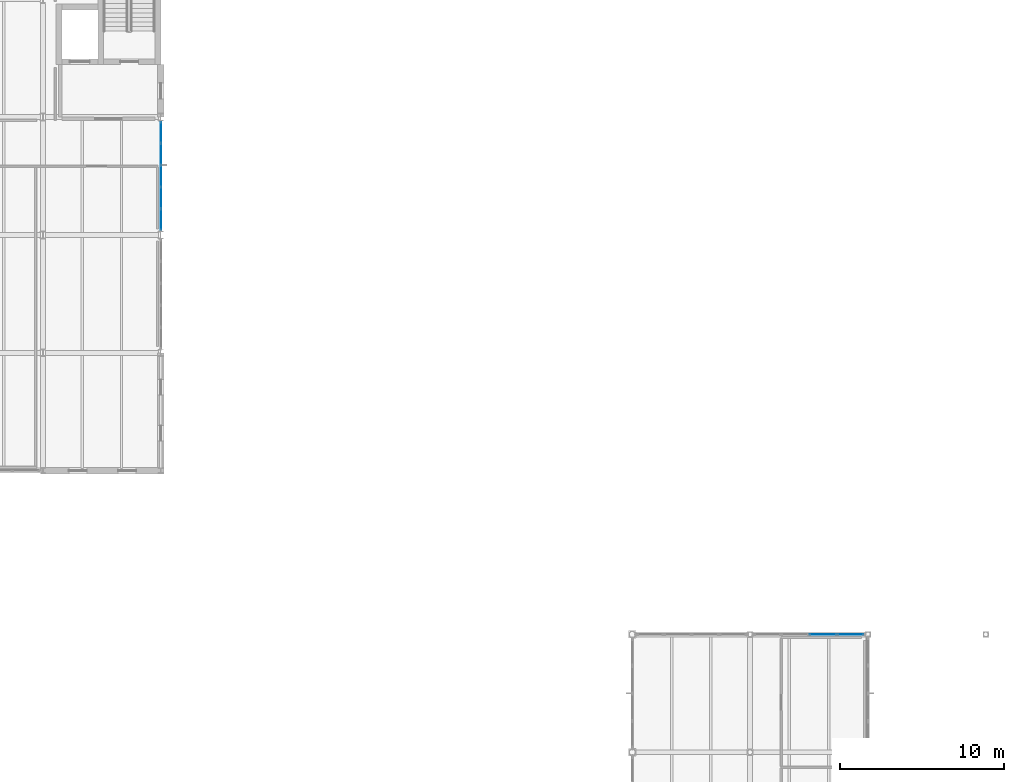
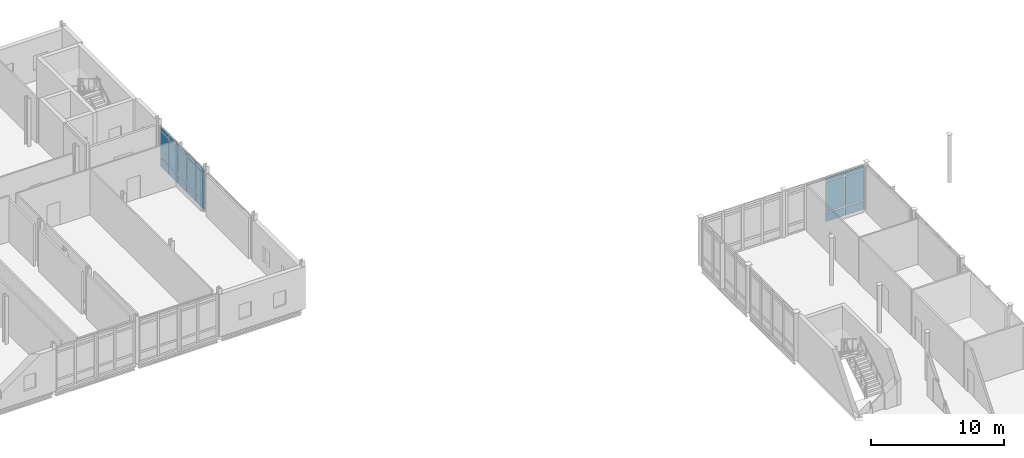
# One storey, part 42 of 76: 21 plates, 2 elements without a shape of their own.
"""IFC4 building model written with IfcOpenShell, lengths in metres."""

from ifc_helpers import new_model, si_unit, direction, frame, origin, origin_2d, place, context, subcontext, project, spatial, rectangle, extrude, material, layer, layer_set, type_object, element, aggregate, save


model = new_model("IFC4")

# Units and contexts
model_context = context("Model", 3, precision=1e-05, world=origin(), true_north=direction((0.0, 1.0)))
body_context = subcontext(model_context, "Body", "Model", "MODEL_VIEW")
ifc_project = project(units=[si_unit("LENGTHUNIT", "METRE"), si_unit("AREAUNIT", "SQUARE_METRE"), si_unit("VOLUMEUNIT", "CUBIC_METRE"), si_unit("PLANEANGLEUNIT", "RADIAN"), si_unit("MASSUNIT", "GRAM", prefix="KILO")], contexts=[model_context])

# Site, building, storey
site_placement = place(None, origin())
site = spatial("IfcSite", under=ifc_project, at=site_placement, CompositionType="ELEMENT")
building_placement = place(site_placement, origin())
building = spatial("IfcBuilding", under=site, at=building_placement, Name="Zarrinpeak Specialist Clinic", CompositionType="ELEMENT")
storey_placement = place(building_placement, frame((0.0, 0.0, 5.199951171875)))
storey = spatial("IfcBuildingStorey", under=building, at=storey_placement, Name="L01", CompositionType="ELEMENT", Elevation=5.199951171875)

# Curtain wall, plates
ifc_material_1 = material(Name="Anodised Aluminium Alloy 6063-T6", Category="aluminium")
ifc_layer_1 = layer(ifc_material_1, 0.199951171875)
ifc_layer_set_1 = layer_set([ifc_layer_1], Name="Anodised Aluminium Alloy 6063-T6")
curtain_wall_type_1 = type_object("IfcCurtainWallType", Name="CW-HALL", PredefinedType="NOTDEFINED", material=ifc_layer_set_1)
curtain_wall_1_placement = place(storey_placement, origin())
curtain_wall_1 = element("IfcCurtainWall", 1, at=curtain_wall_1_placement, inside=storey, type_object=curtain_wall_type_1, Name="L01 V3 Unitised Curtain Wall CW-L01-V3-100", PredefinedType="NOTDEFINED")
ifc_material_2 = material(Name="Double Low-E Insulated Glazing", Category="glass")
ifc_layer_2 = layer(ifc_material_2, 0.028076171875)
ifc_layer_set_2 = layer_set([ifc_layer_2], Name="Double Low-E Insulated Glazing")
plate_type = type_object("IfcPlateType", Name="CWP-GLZ28", PredefinedType="CURTAIN_PANEL", material=ifc_layer_set_2)
plate_1_placement = place(storey_placement, frame((106.937255859375, 72.0, 0.09033203125), z_axis=(0.0, 0.0, 1.0), x_axis=(-1.0, 0.0, 0.0)))
plate_1 = element("IfcPlate", 2, at=plate_1_placement, type_object=plate_type, Name="CW-02 panel 1.1", PredefinedType="CURTAIN_PANEL", context=body_context, shape_type="SweptSolid", body=[
    extrude(rectangle(XDim=1.571533203125, YDim=0.028076171875, at=origin_2d()), origin(), (0.0, 0.0, 1.0), 0.764892578125),
])
plate_2_placement = place(storey_placement, frame((106.937255859375, 72.0, 0.945068359375), z_axis=(0.0, 0.0, 1.0), x_axis=(-1.0, 0.0, 0.0)))
plate_2 = element("IfcPlate", 3, at=plate_2_placement, type_object=plate_type, Name="CW-02 panel 1.2", PredefinedType="CURTAIN_PANEL", context=body_context, shape_type="SweptSolid", body=[
    extrude(rectangle(XDim=1.571533203125, YDim=0.028076171875, at=origin_2d()), origin(), (0.0, 0.0, 1.0), 2.7451171875),
])
plate_3_placement = place(storey_placement, frame((106.937255859375, 72.0, 3.780029296875), z_axis=(0.0, 0.0, 1.0), x_axis=(-1.0, 0.0, 0.0)))
plate_3 = element("IfcPlate", 4, at=plate_3_placement, type_object=plate_type, Name="CW-02 panel 1.3", PredefinedType="CURTAIN_PANEL", context=body_context, shape_type="SweptSolid", body=[
    extrude(rectangle(XDim=1.571533203125, YDim=0.028076171875, at=origin_2d()), origin(), (0.0, 0.0, 1.0), 0.31494140625),
])
plate_4_placement = place(storey_placement, frame((105.253173828125, 72.0, 0.09033203125), z_axis=(0.0, 0.0, 1.0), x_axis=(-1.0, 0.0, 0.0)))
plate_4 = element("IfcPlate", 5, at=plate_4_placement, type_object=plate_type, Name="CW-02 panel 2.1", PredefinedType="CURTAIN_PANEL", context=body_context, shape_type="SweptSolid", body=[
    extrude(rectangle(XDim=1.616455078125, YDim=0.028076171875, at=origin_2d()), origin(), (0.0, 0.0, 1.0), 0.764892578125),
])
plate_5_placement = place(storey_placement, frame((105.253173828125, 72.0, 0.945068359375), z_axis=(0.0, 0.0, 1.0), x_axis=(-1.0, 0.0, 0.0)))
plate_5 = element("IfcPlate", 6, at=plate_5_placement, type_object=plate_type, Name="CW-02 panel 2.2", PredefinedType="CURTAIN_PANEL", context=body_context, shape_type="SweptSolid", body=[
    extrude(rectangle(XDim=1.616455078125, YDim=0.028076171875, at=origin_2d()), origin(), (0.0, 0.0, 1.0), 2.7451171875),
])
plate_6_placement = place(storey_placement, frame((105.253173828125, 72.0, 3.780029296875), z_axis=(0.0, 0.0, 1.0), x_axis=(-1.0, 0.0, 0.0)))
plate_6 = element("IfcPlate", 7, at=plate_6_placement, type_object=plate_type, Name="CW-02 panel 2.3", PredefinedType="CURTAIN_PANEL", context=body_context, shape_type="SweptSolid", body=[
    extrude(rectangle(XDim=1.616455078125, YDim=0.028076171875, at=origin_2d()), origin(), (0.0, 0.0, 1.0), 0.31494140625),
])
aggregate(curtain_wall_1, [plate_1, plate_2, plate_3, plate_4, plate_5, plate_6])

ifc_layer_3 = layer(ifc_material_1, 0.1650390625)
ifc_layer_set_3 = layer_set([ifc_layer_3], Name="Anodised Aluminium Alloy 6063-T6")
curtain_wall_type_2 = type_object("IfcCurtainWallType", Name="CW-CLINIC", PredefinedType="NOTDEFINED", material=ifc_layer_set_3)
curtain_wall_2_placement = place(storey_placement, origin())
curtain_wall_2 = element("IfcCurtainWall", 8, at=curtain_wall_2_placement, inside=storey, type_object=curtain_wall_type_2, Name="L01 V6 Unitised Curtain Wall CW-L01-V6-140", PredefinedType="NOTDEFINED")
plate_7_placement = place(storey_placement, frame((64.800048828125, 97.3388671875, 0.074951171875), z_axis=(0.0, 0.0, 1.0), x_axis=(0.0, 1.0, 0.0)))
plate_7 = element("IfcPlate", 9, at=plate_7_placement, type_object=plate_type, Name="CW-03 panel 1.1", PredefinedType="CURTAIN_PANEL", context=body_context, shape_type="SweptSolid", body=[
    extrude(rectangle(XDim=1.2275390625, YDim=0.028076171875, at=origin_2d()), origin(), (0.0, 0.0, 1.0), 0.78759765625),
])
plate_8_placement = place(storey_placement, frame((64.800048828125, 97.3388671875, 0.9375), z_axis=(0.0, 0.0, 1.0), x_axis=(0.0, 1.0, 0.0)))
plate_8 = element("IfcPlate", 10, at=plate_8_placement, type_object=plate_type, Name="CW-03 panel 1.2", PredefinedType="CURTAIN_PANEL", context=body_context, shape_type="SweptSolid", body=[
    extrude(rectangle(XDim=1.2275390625, YDim=0.028076171875, at=origin_2d()), origin(), (0.0, 0.0, 1.0), 2.385009765625),
])
plate_9_placement = place(storey_placement, frame((64.800048828125, 97.3388671875, 3.397705078125), z_axis=(0.0, 0.0, 1.0), x_axis=(0.0, 1.0, 0.0)))
plate_9 = element("IfcPlate", 11, at=plate_9_placement, type_object=plate_type, Name="CW-03 panel 1.3", PredefinedType="CURTAIN_PANEL", context=body_context, shape_type="SweptSolid", body=[
    extrude(rectangle(XDim=1.2275390625, YDim=0.028076171875, at=origin_2d()), origin(), (0.0, 0.0, 1.0), 0.33740234375),
])
plate_10_placement = place(storey_placement, frame((64.800048828125, 98.659912109375, 0.074951171875), z_axis=(0.0, 0.0, 1.0), x_axis=(0.0, 1.0, 0.0)))
plate_10 = element("IfcPlate", 12, at=plate_10_placement, type_object=plate_type, Name="CW-03 panel 2.1", PredefinedType="CURTAIN_PANEL", context=body_context, shape_type="SweptSolid", body=[
    extrude(rectangle(XDim=1.264892578125, YDim=0.028076171875, at=origin_2d()), origin(), (0.0, 0.0, 1.0), 0.78759765625),
])
plate_11_placement = place(storey_placement, frame((64.800048828125, 98.659912109375, 0.9375), z_axis=(0.0, 0.0, 1.0), x_axis=(0.0, 1.0, 0.0)))
plate_11 = element("IfcPlate", 13, at=plate_11_placement, type_object=plate_type, Name="CW-03 panel 2.2", PredefinedType="CURTAIN_PANEL", context=body_context, shape_type="SweptSolid", body=[
    extrude(rectangle(XDim=1.264892578125, YDim=0.028076171875, at=origin_2d()), origin(), (0.0, 0.0, 1.0), 2.385009765625),
])
plate_12_placement = place(storey_placement, frame((64.800048828125, 98.659912109375, 3.397705078125), z_axis=(0.0, 0.0, 1.0), x_axis=(0.0, 1.0, 0.0)))
plate_12 = element("IfcPlate", 14, at=plate_12_placement, type_object=plate_type, Name="CW-03 panel 2.3", PredefinedType="CURTAIN_PANEL", context=body_context, shape_type="SweptSolid", body=[
    extrude(rectangle(XDim=1.264892578125, YDim=0.028076171875, at=origin_2d()), origin(), (0.0, 0.0, 1.0), 0.33740234375),
])
plate_13_placement = place(storey_placement, frame((64.800048828125, 100.0, 0.074951171875), z_axis=(0.0, 0.0, 1.0), x_axis=(0.0, 1.0, 0.0)))
plate_13 = element("IfcPlate", 15, at=plate_13_placement, type_object=plate_type, Name="CW-03 panel 3.1", PredefinedType="CURTAIN_PANEL", context=body_context, shape_type="SweptSolid", body=[
    extrude(rectangle(XDim=1.264892578125, YDim=0.028076171875, at=origin_2d()), origin(), (0.0, 0.0, 1.0), 0.78759765625),
])
plate_14_placement = place(storey_placement, frame((64.800048828125, 100.0, 0.9375), z_axis=(0.0, 0.0, 1.0), x_axis=(0.0, 1.0, 0.0)))
plate_14 = element("IfcPlate", 16, at=plate_14_placement, type_object=plate_type, Name="CW-03 panel 3.2", PredefinedType="CURTAIN_PANEL", context=body_context, shape_type="SweptSolid", body=[
    extrude(rectangle(XDim=1.264892578125, YDim=0.028076171875, at=origin_2d()), origin(), (0.0, 0.0, 1.0), 2.385009765625),
])
plate_15_placement = place(storey_placement, frame((64.800048828125, 100.0, 3.397705078125), z_axis=(0.0, 0.0, 1.0), x_axis=(0.0, 1.0, 0.0)))
plate_15 = element("IfcPlate", 17, at=plate_15_placement, type_object=plate_type, Name="CW-03 panel 3.3", PredefinedType="CURTAIN_PANEL", context=body_context, shape_type="SweptSolid", body=[
    extrude(rectangle(XDim=1.264892578125, YDim=0.028076171875, at=origin_2d()), origin(), (0.0, 0.0, 1.0), 0.33740234375),
])
plate_16_placement = place(storey_placement, frame((64.800048828125, 101.340087890625, 0.074951171875), z_axis=(0.0, 0.0, 1.0), x_axis=(0.0, 1.0, 0.0)))
plate_16 = element("IfcPlate", 18, at=plate_16_placement, type_object=plate_type, Name="CW-03 panel 4.1", PredefinedType="CURTAIN_PANEL", context=body_context, shape_type="SweptSolid", body=[
    extrude(rectangle(XDim=1.264892578125, YDim=0.028076171875, at=origin_2d()), origin(), (0.0, 0.0, 1.0), 0.78759765625),
])
plate_17_placement = place(storey_placement, frame((64.800048828125, 101.340087890625, 0.9375), z_axis=(0.0, 0.0, 1.0), x_axis=(0.0, 1.0, 0.0)))
plate_17 = element("IfcPlate", 19, at=plate_17_placement, type_object=plate_type, Name="CW-03 panel 4.2", PredefinedType="CURTAIN_PANEL", context=body_context, shape_type="SweptSolid", body=[
    extrude(rectangle(XDim=1.264892578125, YDim=0.028076171875, at=origin_2d()), origin(), (0.0, 0.0, 1.0), 2.385009765625),
])
plate_18_placement = place(storey_placement, frame((64.800048828125, 101.340087890625, 3.397705078125), z_axis=(0.0, 0.0, 1.0), x_axis=(0.0, 1.0, 0.0)))
plate_18 = element("IfcPlate", 20, at=plate_18_placement, type_object=plate_type, Name="CW-03 panel 4.3", PredefinedType="CURTAIN_PANEL", context=body_context, shape_type="SweptSolid", body=[
    extrude(rectangle(XDim=1.264892578125, YDim=0.028076171875, at=origin_2d()), origin(), (0.0, 0.0, 1.0), 0.33740234375),
])
plate_19_placement = place(storey_placement, frame((64.800048828125, 102.6611328125, 0.074951171875), z_axis=(0.0, 0.0, 1.0), x_axis=(0.0, 1.0, 0.0)))
plate_19 = element("IfcPlate", 21, at=plate_19_placement, type_object=plate_type, Name="CW-03 panel 5.1", PredefinedType="CURTAIN_PANEL", context=body_context, shape_type="SweptSolid", body=[
    extrude(rectangle(XDim=1.2275390625, YDim=0.028076171875, at=origin_2d()), origin(), (0.0, 0.0, 1.0), 0.78759765625),
])
plate_20_placement = place(storey_placement, frame((64.800048828125, 102.6611328125, 0.9375), z_axis=(0.0, 0.0, 1.0), x_axis=(0.0, 1.0, 0.0)))
plate_20 = element("IfcPlate", 22, at=plate_20_placement, type_object=plate_type, Name="CW-03 panel 5.2", PredefinedType="CURTAIN_PANEL", context=body_context, shape_type="SweptSolid", body=[
    extrude(rectangle(XDim=1.2275390625, YDim=0.028076171875, at=origin_2d()), origin(), (0.0, 0.0, 1.0), 2.385009765625),
])
plate_21_placement = place(storey_placement, frame((64.800048828125, 102.6611328125, 3.397705078125), z_axis=(0.0, 0.0, 1.0), x_axis=(0.0, 1.0, 0.0)))
plate_21 = element("IfcPlate", 23, at=plate_21_placement, type_object=plate_type, Name="CW-03 panel 5.3", PredefinedType="CURTAIN_PANEL", context=body_context, shape_type="SweptSolid", body=[
    extrude(rectangle(XDim=1.2275390625, YDim=0.028076171875, at=origin_2d()), origin(), (0.0, 0.0, 1.0), 0.33740234375),
])
aggregate(curtain_wall_2, [plate_7, plate_8, plate_9, plate_10, plate_11, plate_12, plate_13, plate_14, plate_15, plate_16, plate_17, plate_18, plate_19, plate_20, plate_21])

save(model, "model.ifc")
